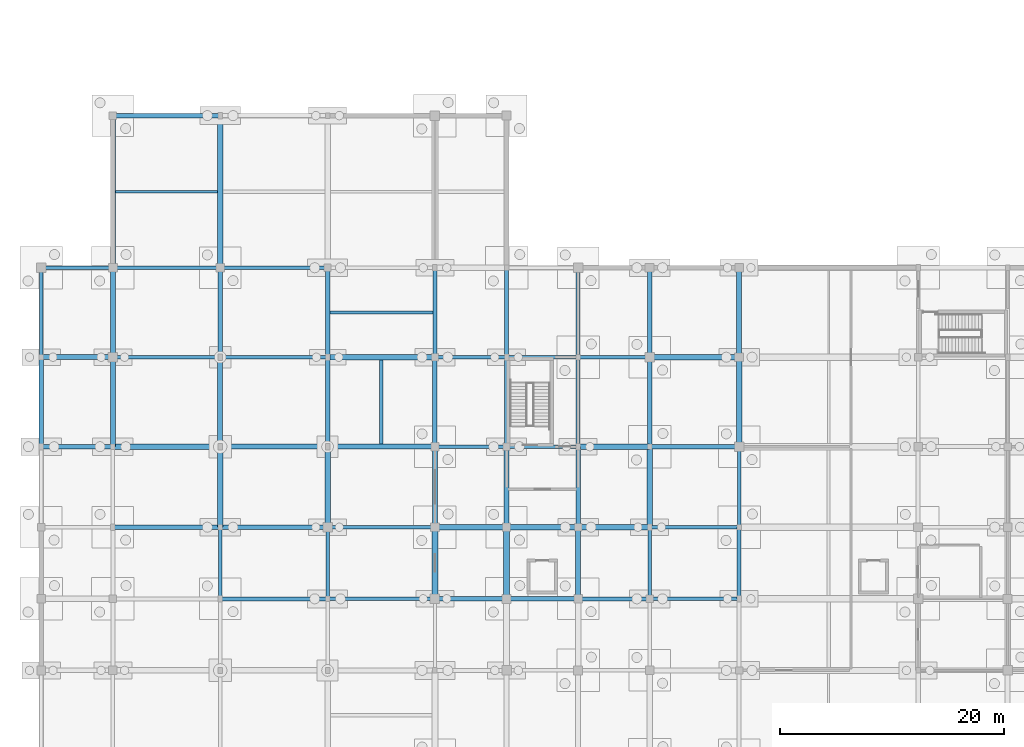
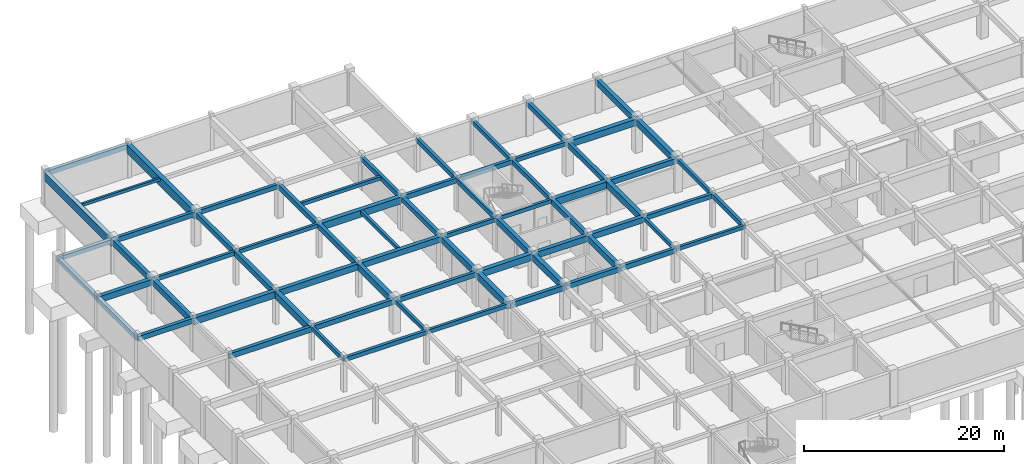
# One storey, part 12 of 28: 70 beams.
"""IFC4 building model written with IfcOpenShell, lengths in metres."""

from ifc_helpers import new_model, si_unit, direction, frame, origin, origin_2d, place, context, subcontext, project, spatial, rectangle, extrude, material, material_profile, profile_set, type_object, element, save


model = new_model("IFC4")

# Units and contexts
model_context = context("Model", 3, precision=1e-05, world=origin(), true_north=direction((0.0, 1.0)))
body_context = subcontext(model_context, "Body", "Model", "MODEL_VIEW")
ifc_project = project(units=[si_unit("LENGTHUNIT", "METRE"), si_unit("AREAUNIT", "SQUARE_METRE"), si_unit("VOLUMEUNIT", "CUBIC_METRE"), si_unit("PLANEANGLEUNIT", "RADIAN"), si_unit("MASSUNIT", "GRAM", prefix="KILO")], contexts=[model_context])

# Site, building, storey
site_placement = place(None, origin())
site = spatial("IfcSite", under=ifc_project, at=site_placement, CompositionType="ELEMENT")
building_placement = place(site_placement, origin())
building = spatial("IfcBuilding", under=site, at=building_placement, Name="Vellmiral Cinema and Media Centre", CompositionType="ELEMENT")
storey_placement = place(building_placement, frame((0.0, 0.0, -4.5)))
storey = spatial("IfcBuildingStorey", under=building, at=storey_placement, Name="B1", CompositionType="ELEMENT", Elevation=-4.5)

# Beams
ifc_material_1 = material(Name="Concrete C40/50", Category="concrete")
ifc_material_profile_1 = material_profile(ifc_material_1, rectangle(XDim=0.300048828125, YDim=0.449951171875, at=origin_2d()), Name="RC 300x450")
ifc_profile_set_1 = profile_set([ifc_material_profile_1], Name="Concrete C40/50")
beam_type_1 = type_object("IfcBeamType", Name="BM-RC-300x450", PredefinedType="BEAM", material=ifc_profile_set_1)
beam_1_placement = place(storey_placement, frame((54.39990234375, 65.60009765625, 3.85009765625), z_axis=(1.0, 0.0, 0.0), x_axis=(0.0, 1.0, 0.0)))
element("IfcBeam", 1, at=beam_1_placement, inside=storey, type_object=beam_type_1, Name="Grid Beam B1-X105", PredefinedType="BEAM", context=body_context, shape_type="SweptSolid", body=[
    extrude(rectangle(XDim=0.300048828125, YDim=0.449951171875, at=origin_2d()), origin(), (0.0, 0.0, 1.0), 8.0),
])
beam_2_placement = place(storey_placement, frame((41.60009765625, 79.199951171875, 3.85009765625), z_axis=(1.0, 0.0, 0.0), x_axis=(0.0, 1.0, 0.0)))
element("IfcBeam", 2, at=beam_2_placement, inside=storey, type_object=beam_type_1, Name="Grid Beam B1-X141", PredefinedType="BEAM", context=body_context, shape_type="SweptSolid", body=[
    extrude(rectangle(XDim=0.300048828125, YDim=0.449951171875, at=origin_2d()), origin(), (0.0, 0.0, 1.0), 6.39990234375),
])
beam_3_placement = place(storey_placement, frame((16.0, 87.199951171875, 3.85009765625), z_axis=(1.0, 0.0, 0.0), x_axis=(0.0, 1.0, 0.0)))
element("IfcBeam", 3, at=beam_3_placement, inside=storey, type_object=beam_type_1, Name="Grid Beam B1-X157", PredefinedType="BEAM", context=body_context, shape_type="SweptSolid", body=[
    extrude(rectangle(XDim=0.300048828125, YDim=0.449951171875, at=origin_2d()), origin(), (0.0, 0.0, 1.0), 9.60009765625),
])
for number, where, z_axis, x_axis, name in (
    (4, (25.60009765625, 65.60009765625, 3.85009765625), (0.0, 1.0, 0.0), (-1.0, 0.0, 0.0), "Grid Beam B1-Y251"),
    (5, (54.39990234375, 65.60009765625, 3.85009765625), (0.0, 1.0, 0.0), (-1.0, 0.0, 0.0), "Grid Beam B1-Y295"),
):
    element("IfcBeam", number, at=place(storey_placement, frame(where, z_axis=z_axis, x_axis=x_axis)), inside=storey, type_object=beam_type_1, Name=name, PredefinedType="BEAM", context=body_context, shape_type="SweptSolid", body=[
        extrude(rectangle(XDim=0.300048828125, YDim=0.449951171875, at=origin_2d()), origin(), (0.0, 0.0, 1.0), 6.39990234375),
    ])
ifc_material_2 = material(Name="Concrete C40/50", Category="concrete")
ifc_material_profile_2 = material_profile(ifc_material_2, rectangle(XDim=0.300048828125, YDim=0.5, at=origin_2d()), Name="RC 300x500")
ifc_profile_set_2 = profile_set([ifc_material_profile_2], Name="Concrete C40/50")
beam_type_2 = type_object("IfcBeamType", Name="BM-RC-300x500", PredefinedType="BEAM", material=ifc_profile_set_2)
beam_4_placement = place(storey_placement, frame((25.60009765625, 65.60009765625, 3.824951171875), z_axis=(1.0, 0.0, 0.0), x_axis=(0.0, 1.0, 0.0)))
element("IfcBeam", 6, at=beam_4_placement, inside=storey, type_object=beam_type_2, Name="Grid Beam B1-X101", PredefinedType="BEAM", context=body_context, shape_type="SweptSolid", body=[
    extrude(rectangle(XDim=0.300048828125, YDim=0.5, at=origin_2d()), origin(), (0.0, 0.0, 1.0), 9.599853515625),
])
beam_5_placement = place(storey_placement, frame((35.199951171875, 79.199951171875, 3.824951171875), z_axis=(1.0, 0.0, 0.0), x_axis=(0.0, 1.0, 0.0)))
element("IfcBeam", 7, at=beam_5_placement, inside=storey, type_object=beam_type_2, Name="Grid Beam B1-X140", PredefinedType="BEAM", context=body_context, shape_type="SweptSolid", body=[
    extrude(rectangle(XDim=0.300048828125, YDim=0.5, at=origin_2d()), origin(), (0.0, 0.0, 1.0), 6.400146484375),
])
beam_6_placement = place(storey_placement, frame((6.39990234375, 87.199951171875, 3.824951171875), z_axis=(1.0, 0.0, 0.0), x_axis=(0.0, 1.0, 0.0)))
element("IfcBeam", 8, at=beam_6_placement, inside=storey, type_object=beam_type_2, Name="Grid Beam B1-X156", PredefinedType="BEAM", context=body_context, shape_type="SweptSolid", body=[
    extrude(rectangle(XDim=0.300048828125, YDim=0.5, at=origin_2d()), origin(), (0.0, 0.0, 1.0), 9.60009765625),
])
beam_7_placement = place(storey_placement, frame((16.0, 65.60009765625, 3.824951171875), z_axis=(0.0, 1.0, 0.0), x_axis=(-1.0, 0.0, 0.0)))
element("IfcBeam", 9, at=beam_7_placement, inside=storey, type_object=beam_type_2, Name="Grid Beam B1-Y239", PredefinedType="BEAM", context=body_context, shape_type="SweptSolid", body=[
    extrude(rectangle(XDim=0.300048828125, YDim=0.5, at=origin_2d()), origin(), (0.0, 0.0, 1.0), 6.39990234375),
])
beam_8_placement = place(storey_placement, frame((62.39990234375, 72.0, 3.824951171875), z_axis=(0.0, 1.0, 0.0), x_axis=(-1.0, 0.0, 0.0)))
element("IfcBeam", 10, at=beam_8_placement, inside=storey, type_object=beam_type_2, Name="Grid Beam B1-Y304", PredefinedType="BEAM", context=body_context, shape_type="SweptSolid", body=[
    extrude(rectangle(XDim=0.300048828125, YDim=0.5, at=origin_2d()), origin(), (0.0, 0.0, 1.0), 7.199951171875),
])
ifc_material_3 = material(Name="Concrete C40/50", Category="concrete")
ifc_material_profile_3 = material_profile(ifc_material_3, rectangle(XDim=0.35009765625, YDim=0.5, at=origin_2d()), Name="RC 350x500")
ifc_profile_set_3 = profile_set([ifc_material_profile_3], Name="Concrete C40/50")
beam_type_3 = type_object("IfcBeamType", Name="BM-RC-350x500", PredefinedType="BEAM", material=ifc_profile_set_3)
beam_9_placement = place(storey_placement, frame((16.0, 65.60009765625, 3.824951171875), z_axis=(1.0, 0.0, 0.0), x_axis=(0.0, 1.0, 0.0)))
element("IfcBeam", 11, at=beam_9_placement, inside=storey, type_object=beam_type_3, Name="Grid Beam B1-X100", PredefinedType="BEAM", context=body_context, shape_type="SweptSolid", body=[
    extrude(rectangle(XDim=0.35009765625, YDim=0.5, at=origin_2d()), origin(), (0.0, 0.0, 1.0), 9.60009765625),
])
beam_10_placement = place(storey_placement, frame((48.0, 87.199951171875, 3.824951171875), z_axis=(1.0, 0.0, 0.0), x_axis=(0.0, 1.0, 0.0)))
element("IfcBeam", 12, at=beam_10_placement, inside=storey, type_object=beam_type_3, Name="Grid Beam B1-X161", PredefinedType="BEAM", context=body_context, shape_type="SweptSolid", body=[
    extrude(rectangle(XDim=0.35009765625, YDim=0.5, at=origin_2d()), origin(), (0.0, 0.0, 1.0), 6.39990234375),
])
beam_11_placement = place(storey_placement, frame((48.0, 87.199951171875, 3.824951171875), z_axis=(0.0, 1.0, 0.0), x_axis=(-1.0, 0.0, 0.0)))
element("IfcBeam", 13, at=beam_11_placement, inside=storey, type_object=beam_type_3, Name="Grid Beam B1-Y290", PredefinedType="BEAM", context=body_context, shape_type="SweptSolid", body=[
    extrude(rectangle(XDim=0.35009765625, YDim=0.5, at=origin_2d()), origin(), (0.0, 0.0, 1.0), 8.0),
])
ifc_material_4 = material(Name="Concrete C40/50", Category="concrete")
ifc_material_profile_4 = material_profile(ifc_material_4, rectangle(XDim=0.35009765625, YDim=0.550048828125, at=origin_2d()), Name="RC 350x550")
ifc_profile_set_4 = profile_set([ifc_material_profile_4], Name="Concrete C40/50")
beam_type_4 = type_object("IfcBeamType", Name="BM-RC-350x550", PredefinedType="BEAM", material=ifc_profile_set_4)
beam_12_placement = place(storey_placement, frame((54.39990234375, 72.0, 3.800048828125), z_axis=(1.0, 0.0, 0.0), x_axis=(0.0, 1.0, 0.0)))
element("IfcBeam", 14, at=beam_12_placement, inside=storey, type_object=beam_type_4, Name="Grid Beam B1-X124", PredefinedType="BEAM", context=body_context, shape_type="SweptSolid", body=[
    extrude(rectangle(XDim=0.35009765625, YDim=0.550048828125, at=origin_2d()), origin(), (0.0, 0.0, 1.0), 8.0),
])
beam_13_placement = place(storey_placement, frame((41.60009765625, 87.199951171875, 3.800048828125), z_axis=(1.0, 0.0, 0.0), x_axis=(0.0, 1.0, 0.0)))
element("IfcBeam", 15, at=beam_13_placement, inside=storey, type_object=beam_type_4, Name="Grid Beam B1-X160", PredefinedType="BEAM", context=body_context, shape_type="SweptSolid", body=[
    extrude(rectangle(XDim=0.35009765625, YDim=0.550048828125, at=origin_2d()), origin(), (0.0, 0.0, 1.0), 6.39990234375),
])
beam_14_placement = place(storey_placement, frame((16.0, 95.199951171875, 3.800048828125), z_axis=(1.0, 0.0, 0.0), x_axis=(0.0, 1.0, 0.0)))
element("IfcBeam", 16, at=beam_14_placement, inside=storey, type_object=beam_type_4, Name="Grid Beam B1-X176", PredefinedType="BEAM", context=body_context, shape_type="SweptSolid", body=[
    extrude(rectangle(XDim=0.35009765625, YDim=0.550048828125, at=origin_2d()), origin(), (0.0, 0.0, 1.0), 9.60009765625),
])
for number, where, z_axis, x_axis, name in (
    (17, (41.60009765625, 87.199951171875, 3.800048828125), (0.0, 1.0, 0.0), (-1.0, 0.0, 0.0), "Grid Beam B1-Y278"),
    (18, (48.0, 79.199951171875, 3.800048828125), (0.0, 1.0, 0.0), (-1.0, 0.0, 0.0), "Grid Beam B1-Y289"),
):
    element("IfcBeam", number, at=place(storey_placement, frame(where, z_axis=z_axis, x_axis=x_axis)), inside=storey, type_object=beam_type_4, Name=name, PredefinedType="BEAM", context=body_context, shape_type="SweptSolid", body=[
        extrude(rectangle(XDim=0.35009765625, YDim=0.550048828125, at=origin_2d()), origin(), (0.0, 0.0, 1.0), 8.0),
    ])
beam_15_placement = place(storey_placement, frame((62.39990234375, 65.60009765625, 3.800048828125), z_axis=(0.0, 1.0, 0.0), x_axis=(-1.0, 0.0, 0.0)))
element("IfcBeam", 19, at=beam_15_placement, inside=storey, type_object=beam_type_4, Name="Grid Beam B1-Y303", PredefinedType="BEAM", context=body_context, shape_type="SweptSolid", body=[
    extrude(rectangle(XDim=0.35009765625, YDim=0.550048828125, at=origin_2d()), origin(), (0.0, 0.0, 1.0), 6.39990234375),
])
ifc_material_5 = material(Name="Concrete C40/50", Category="concrete")
ifc_material_profile_5 = material_profile(ifc_material_5, rectangle(XDim=0.35009765625, YDim=0.60009765625, at=origin_2d()), Name="RC 350x600")
ifc_profile_set_5 = profile_set([ifc_material_profile_5], Name="Concrete C40/50")
beam_type_5 = type_object("IfcBeamType", Name="BM-RC-350x600", PredefinedType="BEAM", material=ifc_profile_set_5)
beam_16_placement = place(storey_placement, frame((48.0, 65.60009765625, 3.77490234375), z_axis=(1.0, 0.0, 0.0), x_axis=(0.0, 1.0, 0.0)))
element("IfcBeam", 20, at=beam_16_placement, inside=storey, type_object=beam_type_5, Name="Grid Beam B1-X104", PredefinedType="BEAM", context=body_context, shape_type="SweptSolid", body=[
    extrude(rectangle(XDim=0.35009765625, YDim=0.60009765625, at=origin_2d()), origin(), (0.0, 0.0, 1.0), 6.39990234375),
])
beam_17_placement = place(storey_placement, frame((25.60009765625, 72.0, 3.77490234375), z_axis=(1.0, 0.0, 0.0), x_axis=(0.0, 1.0, 0.0)))
element("IfcBeam", 21, at=beam_17_placement, inside=storey, type_object=beam_type_5, Name="Grid Beam B1-X120", PredefinedType="BEAM", context=body_context, shape_type="SweptSolid", body=[
    extrude(rectangle(XDim=0.35009765625, YDim=0.60009765625, at=origin_2d()), origin(), (0.0, 0.0, 1.0), 9.599853515625),
])
beam_18_placement = place(storey_placement, frame((35.199951171875, 87.199951171875, 3.77490234375), z_axis=(1.0, 0.0, 0.0), x_axis=(0.0, 1.0, 0.0)))
element("IfcBeam", 22, at=beam_18_placement, inside=storey, type_object=beam_type_5, Name="Grid Beam B1-X159", PredefinedType="BEAM", context=body_context, shape_type="SweptSolid", body=[
    extrude(rectangle(XDim=0.35009765625, YDim=0.60009765625, at=origin_2d()), origin(), (0.0, 0.0, 1.0), 6.400146484375),
])
beam_19_placement = place(storey_placement, frame((6.39990234375, 95.199951171875, 3.77490234375), z_axis=(1.0, 0.0, 0.0), x_axis=(0.0, 1.0, 0.0)))
element("IfcBeam", 23, at=beam_19_placement, inside=storey, type_object=beam_type_5, Name="Grid Beam B1-X175", PredefinedType="BEAM", context=body_context, shape_type="SweptSolid", body=[
    extrude(rectangle(XDim=0.35009765625, YDim=0.60009765625, at=origin_2d()), origin(), (0.0, 0.0, 1.0), 9.60009765625),
])
for number, where, z_axis, x_axis, name in (
    (24, (35.199951171875, 87.199951171875, 3.77490234375), (0.0, 1.0, 0.0), (-1.0, 0.0, 0.0), "Grid Beam B1-Y266"),
    (25, (41.60009765625, 79.199951171875, 3.77490234375), (0.0, 1.0, 0.0), (-1.0, 0.0, 0.0), "Grid Beam B1-Y277"),
):
    element("IfcBeam", number, at=place(storey_placement, frame(where, z_axis=z_axis, x_axis=x_axis)), inside=storey, type_object=beam_type_5, Name=name, PredefinedType="BEAM", context=body_context, shape_type="SweptSolid", body=[
        extrude(rectangle(XDim=0.35009765625, YDim=0.60009765625, at=origin_2d()), origin(), (0.0, 0.0, 1.0), 8.0),
    ])
ifc_material_6 = material(Name="Concrete C40/50", Category="concrete")
ifc_material_profile_6 = material_profile(ifc_material_6, rectangle(XDim=0.39990234375, YDim=0.60009765625, at=origin_2d()), Name="RC 400x600")
ifc_profile_set_6 = profile_set([ifc_material_profile_6], Name="Concrete C40/50")
beam_type_6 = type_object("IfcBeamType", Name="BM-RC-400x600", PredefinedType="BEAM", material=ifc_profile_set_6)
beam_20_placement = place(storey_placement, frame((41.60009765625, 65.60009765625, 3.77490234375), z_axis=(1.0, 0.0, 0.0), x_axis=(0.0, 1.0, 0.0)))
element("IfcBeam", 26, at=beam_20_placement, inside=storey, type_object=beam_type_6, Name="Grid Beam B1-X103", PredefinedType="BEAM", context=body_context, shape_type="SweptSolid", body=[
    extrude(rectangle(XDim=0.39990234375, YDim=0.60009765625, at=origin_2d()), origin(), (0.0, 0.0, 1.0), 6.39990234375),
])
beam_21_placement = place(storey_placement, frame((16.0, 72.0, 3.77490234375), z_axis=(1.0, 0.0, 0.0), x_axis=(0.0, 1.0, 0.0)))
element("IfcBeam", 27, at=beam_21_placement, inside=storey, type_object=beam_type_6, Name="Grid Beam B1-X119", PredefinedType="BEAM", context=body_context, shape_type="SweptSolid", body=[
    extrude(rectangle(XDim=0.39990234375, YDim=0.60009765625, at=origin_2d()), origin(), (0.0, 0.0, 1.0), 9.60009765625),
])
beam_22_placement = place(storey_placement, frame((0.0, 79.199951171875, 3.77490234375), z_axis=(1.0, 0.0, 0.0), x_axis=(0.0, 1.0, 0.0)))
element("IfcBeam", 28, at=beam_22_placement, inside=storey, type_object=beam_type_6, Name="Grid Beam B1-X136", PredefinedType="BEAM", context=body_context, shape_type="SweptSolid", body=[
    extrude(rectangle(XDim=0.39990234375, YDim=0.60009765625, at=origin_2d()), origin(), (0.0, 0.0, 1.0), 6.39990234375),
])
for number, where, z_axis, x_axis, name in (
    (29, (25.60009765625, 87.199951171875, 3.77490234375), (0.0, 1.0, 0.0), (-1.0, 0.0, 0.0), "Grid Beam B1-Y254"),
    (30, (35.199951171875, 79.199951171875, 3.77490234375), (0.0, 1.0, 0.0), (-1.0, 0.0, 0.0), "Grid Beam B1-Y265"),
    (31, (54.39990234375, 87.199951171875, 3.77490234375), (0.0, 1.0, 0.0), (-1.0, 0.0, 0.0), "Grid Beam B1-Y298"),
):
    element("IfcBeam", number, at=place(storey_placement, frame(where, z_axis=z_axis, x_axis=x_axis)), inside=storey, type_object=beam_type_6, Name=name, PredefinedType="BEAM", context=body_context, shape_type="SweptSolid", body=[
        extrude(rectangle(XDim=0.39990234375, YDim=0.60009765625, at=origin_2d()), origin(), (0.0, 0.0, 1.0), 8.0),
    ])
ifc_material_7 = material(Name="Concrete C40/50", Category="concrete")
ifc_material_profile_7 = material_profile(ifc_material_7, rectangle(XDim=0.39990234375, YDim=0.64990234375, at=origin_2d()), Name="RC 400x650")
ifc_profile_set_7 = profile_set([ifc_material_profile_7], Name="Concrete C40/50")
beam_type_7 = type_object("IfcBeamType", Name="BM-RC-400x650", PredefinedType="BEAM", material=ifc_profile_set_7)
beam_23_placement = place(storey_placement, frame((35.199951171875, 65.60009765625, 3.75), z_axis=(1.0, 0.0, 0.0), x_axis=(0.0, 1.0, 0.0)))
element("IfcBeam", 32, at=beam_23_placement, inside=storey, type_object=beam_type_7, Name="Grid Beam B1-X102", PredefinedType="BEAM", context=body_context, shape_type="SweptSolid", body=[
    extrude(rectangle(XDim=0.39990234375, YDim=0.64990234375, at=origin_2d()), origin(), (0.0, 0.0, 1.0), 6.400146484375),
])
beam_24_placement = place(storey_placement, frame((6.39990234375, 72.0, 3.75), z_axis=(1.0, 0.0, 0.0), x_axis=(0.0, 1.0, 0.0)))
element("IfcBeam", 33, at=beam_24_placement, inside=storey, type_object=beam_type_7, Name="Grid Beam B1-X118", PredefinedType="BEAM", context=body_context, shape_type="SweptSolid", body=[
    extrude(rectangle(XDim=0.39990234375, YDim=0.64990234375, at=origin_2d()), origin(), (0.0, 0.0, 1.0), 9.60009765625),
])
for number, where, z_axis, x_axis, name in (
    (34, (54.39990234375, 79.199951171875, 3.75), (1.0, 0.0, 0.0), (0.0, 1.0, 0.0), "Grid Beam B1-X143"),
    (35, (16.0, 87.199951171875, 3.75), (0.0, 1.0, 0.0), (-1.0, 0.0, 0.0), "Grid Beam B1-Y242"),
    (36, (25.60009765625, 79.199951171875, 3.75), (0.0, 1.0, 0.0), (-1.0, 0.0, 0.0), "Grid Beam B1-Y253"),
):
    element("IfcBeam", number, at=place(storey_placement, frame(where, z_axis=z_axis, x_axis=x_axis)), inside=storey, type_object=beam_type_7, Name=name, PredefinedType="BEAM", context=body_context, shape_type="SweptSolid", body=[
        extrude(rectangle(XDim=0.39990234375, YDim=0.64990234375, at=origin_2d()), origin(), (0.0, 0.0, 1.0), 8.0),
    ])
beam_25_placement = place(storey_placement, frame((48.0, 72.0, 3.75), z_axis=(0.0, 1.0, 0.0), x_axis=(-1.0, 0.0, 0.0)))
element("IfcBeam", 37, at=beam_25_placement, inside=storey, type_object=beam_type_7, Name="Grid Beam B1-Y288", PredefinedType="BEAM", context=body_context, shape_type="SweptSolid", body=[
    extrude(rectangle(XDim=0.39990234375, YDim=0.64990234375, at=origin_2d()), origin(), (0.0, 0.0, 1.0), 7.199951171875),
])
beam_26_placement = place(storey_placement, frame((54.39990234375, 79.199951171875, 3.75), z_axis=(0.0, 1.0, 0.0), x_axis=(-1.0, 0.0, 0.0)))
element("IfcBeam", 38, at=beam_26_placement, inside=storey, type_object=beam_type_7, Name="Grid Beam B1-Y297", PredefinedType="BEAM", context=body_context, shape_type="SweptSolid", body=[
    extrude(rectangle(XDim=0.39990234375, YDim=0.64990234375, at=origin_2d()), origin(), (0.0, 0.0, 1.0), 8.0),
])
ifc_material_8 = material(Name="Concrete C40/50", Category="concrete")
ifc_material_profile_8 = material_profile(ifc_material_8, rectangle(XDim=0.449951171875, YDim=0.699951171875, at=origin_2d()), Name="RC 450x700")
ifc_profile_set_8 = profile_set([ifc_material_profile_8], Name="Concrete C40/50")
beam_type_8 = type_object("IfcBeamType", Name="BM-RC-450x700", PredefinedType="BEAM", material=ifc_profile_set_8)
beam_27_placement = place(storey_placement, frame((48.0, 72.0, 3.72509765625), z_axis=(1.0, 0.0, 0.0), x_axis=(0.0, 1.0, 0.0)))
element("IfcBeam", 39, at=beam_27_placement, inside=storey, type_object=beam_type_8, Name="Grid Beam B1-X123", PredefinedType="BEAM", context=body_context, shape_type="SweptSolid", body=[
    extrude(rectangle(XDim=0.449951171875, YDim=0.699951171875, at=origin_2d()), origin(), (0.0, 0.0, 1.0), 6.39990234375),
])
beam_28_placement = place(storey_placement, frame((25.60009765625, 79.199951171875, 3.72509765625), z_axis=(1.0, 0.0, 0.0), x_axis=(0.0, 1.0, 0.0)))
element("IfcBeam", 40, at=beam_28_placement, inside=storey, type_object=beam_type_8, Name="Grid Beam B1-X139", PredefinedType="BEAM", context=body_context, shape_type="SweptSolid", body=[
    extrude(rectangle(XDim=0.449951171875, YDim=0.699951171875, at=origin_2d()), origin(), (0.0, 0.0, 1.0), 9.599853515625),
])
for number, where, z_axis, x_axis, name in (
    (41, (6.39990234375, 87.199951171875, 3.72509765625), (0.0, 1.0, 0.0), (-1.0, 0.0, 0.0), "Grid Beam B1-Y230"),
    (42, (16.0, 79.199951171875, 3.72509765625), (0.0, 1.0, 0.0), (-1.0, 0.0, 0.0), "Grid Beam B1-Y241"),
):
    element("IfcBeam", number, at=place(storey_placement, frame(where, z_axis=z_axis, x_axis=x_axis)), inside=storey, type_object=beam_type_8, Name=name, PredefinedType="BEAM", context=body_context, shape_type="SweptSolid", body=[
        extrude(rectangle(XDim=0.449951171875, YDim=0.699951171875, at=origin_2d()), origin(), (0.0, 0.0, 1.0), 8.0),
    ])
beam_29_placement = place(storey_placement, frame((41.60009765625, 72.0, 3.72509765625), z_axis=(0.0, 1.0, 0.0), x_axis=(-1.0, 0.0, 0.0)))
element("IfcBeam", 43, at=beam_29_placement, inside=storey, type_object=beam_type_8, Name="Grid Beam B1-Y276", PredefinedType="BEAM", context=body_context, shape_type="SweptSolid", body=[
    extrude(rectangle(XDim=0.449951171875, YDim=0.699951171875, at=origin_2d()), origin(), (0.0, 0.0, 1.0), 7.199951171875),
])
ifc_material_9 = material(Name="Concrete C40/50", Category="concrete")
ifc_material_profile_9 = material_profile(ifc_material_9, rectangle(XDim=0.449951171875, YDim=0.75, at=origin_2d()), Name="RC 450x750")
ifc_profile_set_9 = profile_set([ifc_material_profile_9], Name="Concrete C40/50")
beam_type_9 = type_object("IfcBeamType", Name="BM-RC-450x750", PredefinedType="BEAM", material=ifc_profile_set_9)
beam_30_placement = place(storey_placement, frame((41.60009765625, 72.0, 3.699951171875), z_axis=(1.0, 0.0, 0.0), x_axis=(0.0, 1.0, 0.0)))
element("IfcBeam", 44, at=beam_30_placement, inside=storey, type_object=beam_type_9, Name="Grid Beam B1-X122", PredefinedType="BEAM", context=body_context, shape_type="SweptSolid", body=[
    extrude(rectangle(XDim=0.449951171875, YDim=0.75, at=origin_2d()), origin(), (0.0, 0.0, 1.0), 6.39990234375),
])
beam_31_placement = place(storey_placement, frame((16.0, 79.199951171875, 3.699951171875), z_axis=(1.0, 0.0, 0.0), x_axis=(0.0, 1.0, 0.0)))
element("IfcBeam", 45, at=beam_31_placement, inside=storey, type_object=beam_type_9, Name="Grid Beam B1-X138", PredefinedType="BEAM", context=body_context, shape_type="SweptSolid", body=[
    extrude(rectangle(XDim=0.449951171875, YDim=0.75, at=origin_2d()), origin(), (0.0, 0.0, 1.0), 9.60009765625),
])
beam_32_placement = place(storey_placement, frame((0.0, 87.199951171875, 3.699951171875), z_axis=(1.0, 0.0, 0.0), x_axis=(0.0, 1.0, 0.0)))
element("IfcBeam", 46, at=beam_32_placement, inside=storey, type_object=beam_type_9, Name="Grid Beam B1-X155", PredefinedType="BEAM", context=body_context, shape_type="SweptSolid", body=[
    extrude(rectangle(XDim=0.449951171875, YDim=0.75, at=origin_2d()), origin(), (0.0, 0.0, 1.0), 6.39990234375),
])
beam_33_placement = place(storey_placement, frame((6.39990234375, 79.199951171875, 3.699951171875), z_axis=(0.0, 1.0, 0.0), x_axis=(-1.0, 0.0, 0.0)))
element("IfcBeam", 47, at=beam_33_placement, inside=storey, type_object=beam_type_9, Name="Grid Beam B1-Y229", PredefinedType="BEAM", context=body_context, shape_type="SweptSolid", body=[
    extrude(rectangle(XDim=0.449951171875, YDim=0.75, at=origin_2d()), origin(), (0.0, 0.0, 1.0), 8.0),
])
beam_34_placement = place(storey_placement, frame((35.199951171875, 72.0, 3.699951171875), z_axis=(0.0, 1.0, 0.0), x_axis=(-1.0, 0.0, 0.0)))
element("IfcBeam", 48, at=beam_34_placement, inside=storey, type_object=beam_type_9, Name="Grid Beam B1-Y264", PredefinedType="BEAM", context=body_context, shape_type="SweptSolid", body=[
    extrude(rectangle(XDim=0.449951171875, YDim=0.75, at=origin_2d()), origin(), (0.0, 0.0, 1.0), 7.199951171875),
])
beam_35_placement = place(storey_placement, frame((48.0, 65.60009765625, 3.699951171875), z_axis=(0.0, 1.0, 0.0), x_axis=(-1.0, 0.0, 0.0)))
element("IfcBeam", 49, at=beam_35_placement, inside=storey, type_object=beam_type_9, Name="Grid Beam B1-Y287", PredefinedType="BEAM", context=body_context, shape_type="SweptSolid", body=[
    extrude(rectangle(XDim=0.449951171875, YDim=0.75, at=origin_2d()), origin(), (0.0, 0.0, 1.0), 6.39990234375),
])
beam_36_placement = place(storey_placement, frame((62.39990234375, 87.199951171875, 3.699951171875), z_axis=(0.0, 1.0, 0.0), x_axis=(-1.0, 0.0, 0.0)))
element("IfcBeam", 50, at=beam_36_placement, inside=storey, type_object=beam_type_9, Name="Grid Beam B1-Y306", PredefinedType="BEAM", context=body_context, shape_type="SweptSolid", body=[
    extrude(rectangle(XDim=0.449951171875, YDim=0.75, at=origin_2d()), origin(), (0.0, 0.0, 1.0), 8.0),
])
ifc_material_10 = material(Name="Concrete C40/50", Category="concrete")
ifc_material_profile_10 = material_profile(ifc_material_10, rectangle(XDim=0.5, YDim=0.800048828125, at=origin_2d()), Name="RC 500x800")
ifc_profile_set_10 = profile_set([ifc_material_profile_10], Name="Concrete C40/50")
beam_type_10 = type_object("IfcBeamType", Name="BM-RC-500x800", PredefinedType="BEAM", material=ifc_profile_set_10)
beam_37_placement = place(storey_placement, frame((35.199951171875, 72.0, 3.675048828125), z_axis=(1.0, 0.0, 0.0), x_axis=(0.0, 1.0, 0.0)))
element("IfcBeam", 51, at=beam_37_placement, inside=storey, type_object=beam_type_10, Name="Grid Beam B1-X121", PredefinedType="BEAM", context=body_context, shape_type="SweptSolid", body=[
    extrude(rectangle(XDim=0.5, YDim=0.800048828125, at=origin_2d()), origin(), (0.0, 0.0, 1.0), 6.400146484375),
])
beam_38_placement = place(storey_placement, frame((6.39990234375, 79.199951171875, 3.675048828125), z_axis=(1.0, 0.0, 0.0), x_axis=(0.0, 1.0, 0.0)))
element("IfcBeam", 52, at=beam_38_placement, inside=storey, type_object=beam_type_10, Name="Grid Beam B1-X137", PredefinedType="BEAM", context=body_context, shape_type="SweptSolid", body=[
    extrude(rectangle(XDim=0.5, YDim=0.800048828125, at=origin_2d()), origin(), (0.0, 0.0, 1.0), 9.60009765625),
])
beam_39_placement = place(storey_placement, frame((54.39990234375, 87.199951171875, 3.675048828125), z_axis=(1.0, 0.0, 0.0), x_axis=(0.0, 1.0, 0.0)))
element("IfcBeam", 53, at=beam_39_placement, inside=storey, type_object=beam_type_10, Name="Grid Beam B1-X162", PredefinedType="BEAM", context=body_context, shape_type="SweptSolid", body=[
    extrude(rectangle(XDim=0.5, YDim=0.800048828125, at=origin_2d()), origin(), (0.0, 0.0, 1.0), 8.0),
])
beam_40_placement = place(storey_placement, frame((25.60009765625, 72.0, 3.675048828125), z_axis=(0.0, 1.0, 0.0), x_axis=(-1.0, 0.0, 0.0)))
element("IfcBeam", 54, at=beam_40_placement, inside=storey, type_object=beam_type_10, Name="Grid Beam B1-Y252", PredefinedType="BEAM", context=body_context, shape_type="SweptSolid", body=[
    extrude(rectangle(XDim=0.5, YDim=0.800048828125, at=origin_2d()), origin(), (0.0, 0.0, 1.0), 7.199951171875),
])
beam_41_placement = place(storey_placement, frame((41.60009765625, 65.60009765625, 3.675048828125), z_axis=(0.0, 1.0, 0.0), x_axis=(-1.0, 0.0, 0.0)))
element("IfcBeam", 55, at=beam_41_placement, inside=storey, type_object=beam_type_10, Name="Grid Beam B1-Y275", PredefinedType="BEAM", context=body_context, shape_type="SweptSolid", body=[
    extrude(rectangle(XDim=0.5, YDim=0.800048828125, at=origin_2d()), origin(), (0.0, 0.0, 1.0), 6.39990234375),
])
beam_42_placement = place(storey_placement, frame((54.39990234375, 72.0, 3.675048828125), z_axis=(0.0, 1.0, 0.0), x_axis=(-1.0, 0.0, 0.0)))
element("IfcBeam", 56, at=beam_42_placement, inside=storey, type_object=beam_type_10, Name="Grid Beam B1-Y296", PredefinedType="BEAM", context=body_context, shape_type="SweptSolid", body=[
    extrude(rectangle(XDim=0.5, YDim=0.800048828125, at=origin_2d()), origin(), (0.0, 0.0, 1.0), 7.199951171875),
])
beam_43_placement = place(storey_placement, frame((62.39990234375, 79.199951171875, 3.675048828125), z_axis=(0.0, 1.0, 0.0), x_axis=(-1.0, 0.0, 0.0)))
element("IfcBeam", 57, at=beam_43_placement, inside=storey, type_object=beam_type_10, Name="Grid Beam B1-Y305", PredefinedType="BEAM", context=body_context, shape_type="SweptSolid", body=[
    extrude(rectangle(XDim=0.5, YDim=0.800048828125, at=origin_2d()), origin(), (0.0, 0.0, 1.0), 8.0),
])
ifc_material_11 = material(Name="Concrete C40/50", Category="concrete")
ifc_material_profile_11 = material_profile(ifc_material_11, rectangle(XDim=0.5, YDim=0.85009765625, at=origin_2d()), Name="RC 500x850")
ifc_profile_set_11 = profile_set([ifc_material_profile_11], Name="Concrete C40/50")
beam_type_11 = type_object("IfcBeamType", Name="BM-RC-500x850", PredefinedType="BEAM", material=ifc_profile_set_11)
beam_44_placement = place(storey_placement, frame((48.0, 79.199951171875, 3.64990234375), z_axis=(1.0, 0.0, 0.0), x_axis=(0.0, 1.0, 0.0)))
element("IfcBeam", 58, at=beam_44_placement, inside=storey, type_object=beam_type_11, Name="Grid Beam B1-X142", PredefinedType="BEAM", context=body_context, shape_type="SweptSolid", body=[
    extrude(rectangle(XDim=0.5, YDim=0.85009765625, at=origin_2d()), origin(), (0.0, 0.0, 1.0), 6.39990234375),
])
beam_45_placement = place(storey_placement, frame((25.60009765625, 87.199951171875, 3.64990234375), z_axis=(1.0, 0.0, 0.0), x_axis=(0.0, 1.0, 0.0)))
element("IfcBeam", 59, at=beam_45_placement, inside=storey, type_object=beam_type_11, Name="Grid Beam B1-X158", PredefinedType="BEAM", context=body_context, shape_type="SweptSolid", body=[
    extrude(rectangle(XDim=0.5, YDim=0.85009765625, at=origin_2d()), origin(), (0.0, 0.0, 1.0), 9.599853515625),
])
beam_46_placement = place(storey_placement, frame((16.0, 72.0, 3.64990234375), z_axis=(0.0, 1.0, 0.0), x_axis=(-1.0, 0.0, 0.0)))
element("IfcBeam", 60, at=beam_46_placement, inside=storey, type_object=beam_type_11, Name="Grid Beam B1-Y240", PredefinedType="BEAM", context=body_context, shape_type="SweptSolid", body=[
    extrude(rectangle(XDim=0.5, YDim=0.85009765625, at=origin_2d()), origin(), (0.0, 0.0, 1.0), 7.199951171875),
])
beam_47_placement = place(storey_placement, frame((35.199951171875, 65.60009765625, 3.64990234375), z_axis=(0.0, 1.0, 0.0), x_axis=(-1.0, 0.0, 0.0)))
element("IfcBeam", 61, at=beam_47_placement, inside=storey, type_object=beam_type_11, Name="Grid Beam B1-Y263", PredefinedType="BEAM", context=body_context, shape_type="SweptSolid", body=[
    extrude(rectangle(XDim=0.5, YDim=0.85009765625, at=origin_2d()), origin(), (0.0, 0.0, 1.0), 6.39990234375),
])
ifc_material_12 = material(Name="Concrete C40/50", Category="concrete")
ifc_material_profile_12 = material_profile(ifc_material_12, rectangle(XDim=0.5, YDim=1.050048828125, at=origin_2d()), Name="RC 500x1050")
ifc_profile_set_12 = profile_set([ifc_material_profile_12], Name="Concrete C40/50")
beam_type_12 = type_object("IfcBeamType", Name="BM-RCG-500x1050", PredefinedType="BEAM", material=ifc_profile_set_12)
beam_48_placement = place(storey_placement, frame((16.0, 95.199951171875, 3.550048828125), z_axis=(0.0, 1.0, 0.0), x_axis=(-1.0, 0.0, 0.0)))
element("IfcBeam", 62, at=beam_48_placement, inside=storey, type_object=beam_type_12, Name="Grid Beam B1-Y243", PredefinedType="BEAM", context=body_context, shape_type="SweptSolid", body=[
    extrude(rectangle(XDim=0.5, YDim=1.050048828125, at=origin_2d()), origin(), (0.0, 0.0, 1.0), 13.60009765625),
])
ifc_material_13 = material(Name="Concrete C40/50", Category="concrete")
ifc_material_profile_13 = material_profile(ifc_material_13, rectangle(XDim=0.25, YDim=0.35009765625, at=origin_2d()), Name="RC 250x350")
ifc_profile_set_13 = profile_set([ifc_material_profile_13], Name="Concrete C40/50")
beam_type_13 = type_object("IfcBeamType", Name="JST-RC-250x350", PredefinedType="JOIST", material=ifc_profile_set_13)
beam_49_placement = place(storey_placement, frame((6.625, 102.0, 3.89990234375), z_axis=(1.0, 0.0, 0.0), x_axis=(0.0, 1.0, 0.0)))
element("IfcBeam", 63, at=beam_49_placement, inside=storey, type_object=beam_type_13, Name="Secondary Floor Joist B1-004", PredefinedType="JOIST", context=body_context, shape_type="SweptSolid", body=[
    extrude(rectangle(XDim=0.25, YDim=0.35009765625, at=origin_2d()), origin(), (0.0, 0.0, 1.0), 9.125),
])
ifc_material_14 = material(Name="Concrete C40/50", Category="concrete")
ifc_material_profile_14 = material_profile(ifc_material_14, rectangle(XDim=0.300048828125, YDim=0.419921875, at=origin_2d()), Name="RC 300x420")
ifc_profile_set_14 = profile_set([ifc_material_profile_14], Name="Concrete C40/50")
beam_type_14 = type_object("IfcBeamType", Name="JST-RC-300x420", PredefinedType="JOIST", material=ifc_profile_set_14)
beam_50_placement = place(storey_placement, frame((30.39990234375, 79.425048828125, 3.864990234375), z_axis=(0.0, 1.0, 0.0), x_axis=(-1.0, 0.0, 0.0)))
element("IfcBeam", 64, at=beam_50_placement, inside=storey, type_object=beam_type_14, Name="Platform Sub-Bay Floor Joist B1-04", PredefinedType="JOIST", context=body_context, shape_type="SweptSolid", body=[
    extrude(rectangle(XDim=0.300048828125, YDim=0.419921875, at=origin_2d()), origin(), (0.0, 0.0, 1.0), 7.52490234375),
])
beam_51_placement = place(storey_placement, frame((25.800048828125, 91.199951171875, 3.864990234375), z_axis=(1.0, 0.0, 0.0), x_axis=(0.0, 1.0, 0.0)))
element("IfcBeam", 65, at=beam_51_placement, inside=storey, type_object=beam_type_14, Name="Platform Sub-Bay Floor Joist B1-05", PredefinedType="JOIST", context=body_context, shape_type="SweptSolid", body=[
    extrude(rectangle(XDim=0.300048828125, YDim=0.419921875, at=origin_2d()), origin(), (0.0, 0.0, 1.0), 9.224853515625),
])
ifc_material_15 = material(Name="Concrete C40/50", Category="concrete")
ifc_material_profile_15 = material_profile(ifc_material_15, rectangle(XDim=0.449951171875, YDim=1.050048828125, at=origin_2d()), Name="RC 450x1050")
ifc_profile_set_15 = profile_set([ifc_material_profile_15], Name="Concrete C40/50")
beam_type_15 = type_object("IfcBeamType", Name="SPD-RCG-450x1050", PredefinedType="SPANDREL", material=ifc_profile_set_15)
beam_52_placement = place(storey_placement, frame((6.39990234375, 95.199951171875, 3.550048828125), z_axis=(0.0, 1.0, 0.0), x_axis=(-1.0, 0.0, 0.0)))
element("IfcBeam", 66, at=beam_52_placement, inside=storey, type_object=beam_type_15, Name="Grid Beam B1-Y231", PredefinedType="SPANDREL", context=body_context, shape_type="SweptSolid", body=[
    extrude(rectangle(XDim=0.449951171875, YDim=1.050048828125, at=origin_2d()), origin(), (0.0, 0.0, 1.0), 13.60009765625),
])
ifc_material_16 = material(Name="Vosges Red Sandstone Masonry", Category="masonry")
ifc_material_profile_16 = material_profile(ifc_material_16, rectangle(XDim=0.340087890625, YDim=0.52001953125, at=origin_2d()), Name="SAND 340x520")
ifc_profile_set_16 = profile_set([ifc_material_profile_16], Name="Vosges Red Sandstone Masonry")
beam_type_16 = type_object("IfcBeamType", Name="SPD-SAND-340x520", PredefinedType="SPANDREL", material=ifc_profile_set_16)
beam_53_placement = place(storey_placement, frame((0.0, 95.199951171875, 3.81494140625), z_axis=(1.0, 0.0, 0.0), x_axis=(0.0, 1.0, 0.0)))
element("IfcBeam", 67, at=beam_53_placement, inside=storey, type_object=beam_type_16, Name="Grid Beam B1-X174", PredefinedType="SPANDREL", context=body_context, shape_type="SweptSolid", body=[
    extrude(rectangle(XDim=0.340087890625, YDim=0.52001953125, at=origin_2d()), origin(), (0.0, 0.0, 1.0), 6.39990234375),
])
beam_54_placement = place(storey_placement, frame((0.0, 87.199951171875, 3.81494140625), z_axis=(0.0, 1.0, 0.0), x_axis=(-1.0, 0.0, 0.0)))
element("IfcBeam", 68, at=beam_54_placement, inside=storey, type_object=beam_type_16, Name="Grid Beam B1-Y219", PredefinedType="SPANDREL", context=body_context, shape_type="SweptSolid", body=[
    extrude(rectangle(XDim=0.340087890625, YDim=0.52001953125, at=origin_2d()), origin(), (0.0, 0.0, 1.0), 8.0),
])
ifc_material_17 = material(Name="Vosges Red Sandstone Masonry", Category="masonry")
ifc_material_profile_17 = material_profile(ifc_material_17, rectangle(XDim=0.3798828125, YDim=0.580078125, at=origin_2d()), Name="SAND 380x580")
ifc_profile_set_17 = profile_set([ifc_material_profile_17], Name="Vosges Red Sandstone Masonry")
beam_type_17 = type_object("IfcBeamType", Name="SPD-SAND-380x580", PredefinedType="SPANDREL", material=ifc_profile_set_17)
beam_55_placement = place(storey_placement, frame((6.39990234375, 108.800048828125, 3.784912109375), z_axis=(1.0, 0.0, 0.0), x_axis=(0.0, 1.0, 0.0)))
element("IfcBeam", 69, at=beam_55_placement, inside=storey, type_object=beam_type_17, Name="Grid Beam B1-X193", PredefinedType="SPANDREL", context=body_context, shape_type="SweptSolid", body=[
    extrude(rectangle(XDim=0.3798828125, YDim=0.580078125, at=origin_2d()), origin(), (0.0, 0.0, 1.0), 9.60009765625),
])
beam_56_placement = place(storey_placement, frame((0.0, 79.199951171875, 3.784912109375), z_axis=(0.0, 1.0, 0.0), x_axis=(-1.0, 0.0, 0.0)))
element("IfcBeam", 70, at=beam_56_placement, inside=storey, type_object=beam_type_17, Name="Grid Beam B1-Y218", PredefinedType="SPANDREL", context=body_context, shape_type="SweptSolid", body=[
    extrude(rectangle(XDim=0.3798828125, YDim=0.580078125, at=origin_2d()), origin(), (0.0, 0.0, 1.0), 8.0),
])

save(model, "model.ifc")
